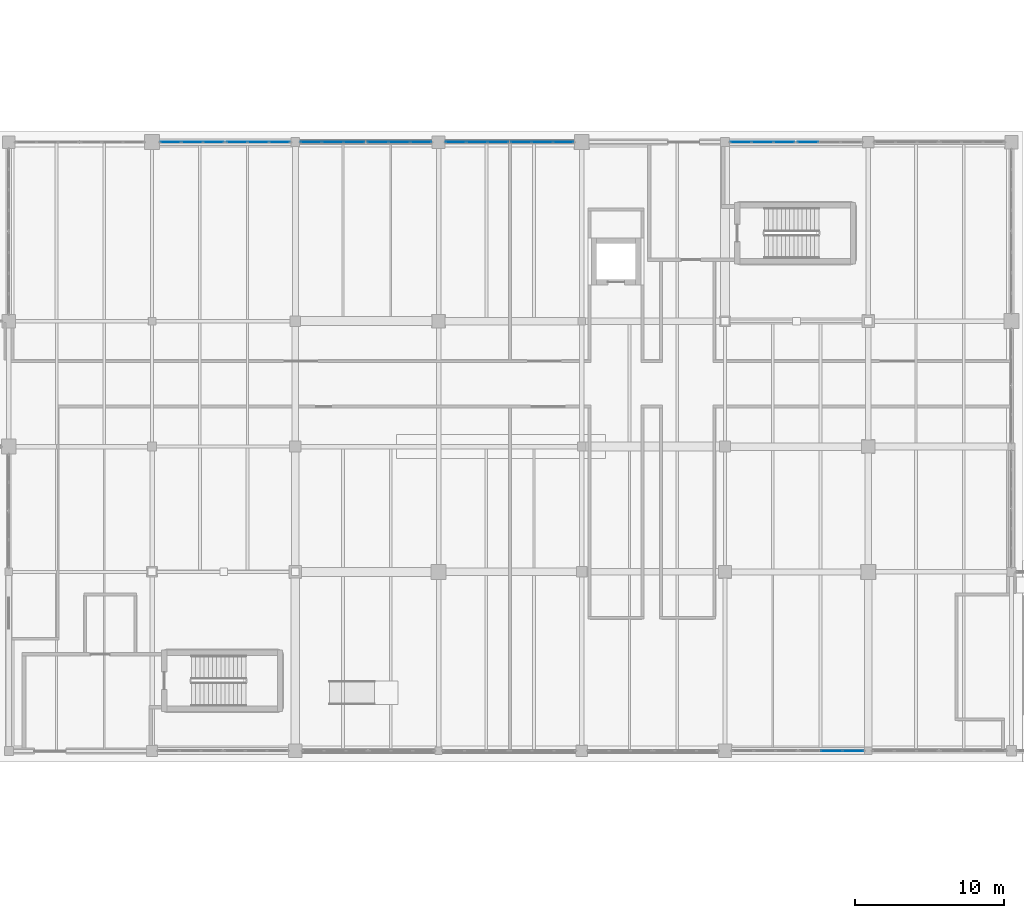
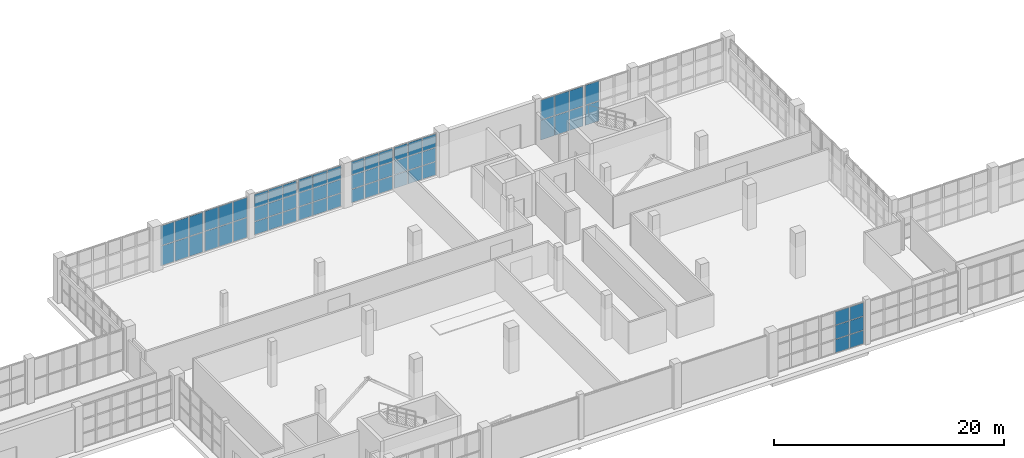
# One storey, part 79 of 121: 62 plates, 9 elements without a shape of their own.
"""IFC4 building model written with IfcOpenShell, lengths in metres."""

from ifc_helpers import new_model, si_unit, direction, frame, origin, origin_2d, place, context, subcontext, project, spatial, rectangle, extrude, material, layer, layer_set, type_object, element, aggregate, save


model = new_model("IFC4")

# Units and contexts
model_context = context("Model", 3, precision=1e-05, world=origin(), true_north=direction((0.0, 1.0)))
body_context = subcontext(model_context, "Body", "Model", "MODEL_VIEW")
ifc_project = project(units=[si_unit("LENGTHUNIT", "METRE"), si_unit("AREAUNIT", "SQUARE_METRE"), si_unit("VOLUMEUNIT", "CUBIC_METRE"), si_unit("PLANEANGLEUNIT", "RADIAN"), si_unit("MASSUNIT", "GRAM", prefix="KILO")], contexts=[model_context])

# Site, building, storey
site_placement = place(None, origin())
site = spatial("IfcSite", under=ifc_project, at=site_placement, CompositionType="ELEMENT")
building_placement = place(site_placement, origin())
building = spatial("IfcBuilding", under=site, at=building_placement, Name="Zereglee Splitstone Museum", CompositionType="ELEMENT")
storey_placement = place(building_placement, origin())
storey = spatial("IfcBuildingStorey", under=building, at=storey_placement, Name="L00", CompositionType="ELEMENT", Elevation=0.0)

# Curtain wall, plates
ifc_material_1 = material(Name="Triple-glazed low-E argon glass and bronze-anodised aluminium", Category="aluminium")
ifc_layer_1 = layer(ifc_material_1, 0.179931640625)
ifc_layer_set_1 = layer_set([ifc_layer_1], Name="Triple-glazed low-E argon glass and bronze-anodised aluminium")
curtain_wall_type_1 = type_object("IfcCurtainWallType", Name="CW-0441-438", PredefinedType="USERDEFINED", material=ifc_layer_set_1)
curtain_wall_1_placement = place(storey_placement, origin())
curtain_wall_1 = element("IfcCurtainWall", 1, at=curtain_wall_1_placement, inside=storey, type_object=curtain_wall_type_1, Name="Glazed Curtain Wall CW-0441-438 (L00)", ObjectType="GLAZED CURTAIN WALL", PredefinedType="USERDEFINED")
ifc_material_2 = material(Name="Triple low-e argon insulated safety glass", Category="glass")
ifc_layer_2 = layer(ifc_material_2, 0.035888671875)
ifc_layer_set_2 = layer_set([ifc_layer_2], Name="Triple low-e argon insulated safety glass")
plate_type = type_object("IfcPlateType", Name="CWP-01", PredefinedType="CURTAIN_PANEL", material=ifc_layer_set_2)
plate_1_placement = place(storey_placement, frame((131.554443359375, 50.39990234375, 0.06494140625), z_axis=(0.0, 0.0, 1.0), x_axis=(-1.0, 0.0, 0.0)))
plate_1 = element("IfcPlate", 2, at=plate_1_placement, type_object=plate_type, Name="CW-0441-438 panel 3.1", PredefinedType="CURTAIN_PANEL", context=body_context, shape_type="SweptSolid", body=[
    extrude(rectangle(XDim=1.3740234375, YDim=0.035888671875, at=origin_2d()), origin(), (0.0, 0.0, 1.0), 2.092529296875),
])
plate_2_placement = place(storey_placement, frame((131.554443359375, 50.39990234375, 2.22265625), z_axis=(0.0, 0.0, 1.0), x_axis=(-1.0, 0.0, 0.0)))
plate_2 = element("IfcPlate", 3, at=plate_2_placement, type_object=plate_type, Name="CW-0441-438 panel 3.2", PredefinedType="CURTAIN_PANEL", context=body_context, shape_type="SweptSolid", body=[
    extrude(rectangle(XDim=1.3740234375, YDim=0.035888671875, at=origin_2d()), origin(), (0.0, 0.0, 1.0), 2.092529296875),
])
aggregate(curtain_wall_1, [plate_1, plate_2])

ifc_layer_3 = layer(ifc_material_1, 0.179931640625)
ifc_layer_set_3 = layer_set([ifc_layer_3], Name="Triple-glazed low-E argon glass and bronze-anodised aluminium")
curtain_wall_type_2 = type_object("IfcCurtainWallType", Name="CW-0441-436", PredefinedType="USERDEFINED", material=ifc_layer_set_3)
curtain_wall_2_placement = place(storey_placement, origin())
curtain_wall_2 = element("IfcCurtainWall", 4, at=curtain_wall_2_placement, inside=storey, type_object=curtain_wall_type_2, Name="Glazed Curtain Wall CW-0441-436 (L00)", ObjectType="GLAZED CURTAIN WALL", PredefinedType="USERDEFINED")
plate_3_placement = place(storey_placement, frame((129.970458984375, 50.39990234375, 0.06494140625), z_axis=(0.0, 0.0, 1.0), x_axis=(-1.0, 0.0, 0.0)))
plate_3 = element("IfcPlate", 5, at=plate_3_placement, type_object=plate_type, Name="CW-0441-436 panel 1.1", PredefinedType="CURTAIN_PANEL", context=body_context, shape_type="SweptSolid", body=[
    extrude(rectangle(XDim=1.3740234375, YDim=0.035888671875, at=origin_2d()), origin(), (0.0, 0.0, 1.0), 2.08251953125),
])
plate_4_placement = place(storey_placement, frame((129.970458984375, 50.39990234375, 2.21240234375), z_axis=(0.0, 0.0, 1.0), x_axis=(-1.0, 0.0, 0.0)))
plate_4 = element("IfcPlate", 6, at=plate_4_placement, type_object=plate_type, Name="CW-0441-436 panel 1.2", PredefinedType="CURTAIN_PANEL", context=body_context, shape_type="SweptSolid", body=[
    extrude(rectangle(XDim=1.3740234375, YDim=0.035888671875, at=origin_2d()), origin(), (0.0, 0.0, 1.0), 2.08251953125),
])
plate_5_placement = place(storey_placement, frame((128.51513671875, 50.39990234375, 0.06494140625), z_axis=(0.0, 0.0, 1.0), x_axis=(-1.0, 0.0, 0.0)))
plate_5 = element("IfcPlate", 7, at=plate_5_placement, type_object=plate_type, Name="CW-0441-436 panel 2.1", PredefinedType="CURTAIN_PANEL", context=body_context, shape_type="SweptSolid", body=[
    extrude(rectangle(XDim=1.406494140625, YDim=0.035888671875, at=origin_2d()), origin(), (0.0, 0.0, 1.0), 2.08251953125),
])
plate_6_placement = place(storey_placement, frame((128.51513671875, 50.39990234375, 2.21240234375), z_axis=(0.0, 0.0, 1.0), x_axis=(-1.0, 0.0, 0.0)))
plate_6 = element("IfcPlate", 8, at=plate_6_placement, type_object=plate_type, Name="CW-0441-436 panel 2.2", PredefinedType="CURTAIN_PANEL", context=body_context, shape_type="SweptSolid", body=[
    extrude(rectangle(XDim=1.406494140625, YDim=0.035888671875, at=origin_2d()), origin(), (0.0, 0.0, 1.0), 2.08251953125),
])
plate_7_placement = place(storey_placement, frame((127.06005859375, 50.39990234375, 0.06494140625), z_axis=(0.0, 0.0, 1.0), x_axis=(-1.0, 0.0, 0.0)))
plate_7 = element("IfcPlate", 9, at=plate_7_placement, type_object=plate_type, Name="CW-0441-436 panel 3.1", PredefinedType="CURTAIN_PANEL", context=body_context, shape_type="SweptSolid", body=[
    extrude(rectangle(XDim=1.3740234375, YDim=0.035888671875, at=origin_2d()), origin(), (0.0, 0.0, 1.0), 2.08251953125),
])
plate_8_placement = place(storey_placement, frame((127.06005859375, 50.39990234375, 2.21240234375), z_axis=(0.0, 0.0, 1.0), x_axis=(-1.0, 0.0, 0.0)))
plate_8 = element("IfcPlate", 10, at=plate_8_placement, type_object=plate_type, Name="CW-0441-436 panel 3.2", PredefinedType="CURTAIN_PANEL", context=body_context, shape_type="SweptSolid", body=[
    extrude(rectangle(XDim=1.3740234375, YDim=0.035888671875, at=origin_2d()), origin(), (0.0, 0.0, 1.0), 2.08251953125),
])
aggregate(curtain_wall_2, [plate_3, plate_4, plate_5, plate_6, plate_7, plate_8])

ifc_layer_4 = layer(ifc_material_1, 0.179931640625)
ifc_layer_set_4 = layer_set([ifc_layer_4], Name="Triple-glazed low-E argon glass and bronze-anodised aluminium")
curtain_wall_type_3 = type_object("IfcCurtainWallType", Name="CW-0429-450", PredefinedType="USERDEFINED", material=ifc_layer_set_4)
curtain_wall_3_placement = place(storey_placement, origin())
curtain_wall_3 = element("IfcCurtainWall", 11, at=curtain_wall_3_placement, inside=storey, type_object=curtain_wall_type_3, Name="Glazed Curtain Wall CW-0429-450 (L00)", ObjectType="GLAZED CURTAIN WALL", PredefinedType="USERDEFINED")
plate_9_placement = place(storey_placement, frame((115.160888671875, 50.39990234375, 0.06494140625), z_axis=(0.0, 0.0, 1.0), x_axis=(-1.0, 0.0, 0.0)))
plate_9 = element("IfcPlate", 12, at=plate_9_placement, type_object=plate_type, Name="CW-0429-450 panel 1.1", PredefinedType="CURTAIN_PANEL", context=body_context, shape_type="SweptSolid", body=[
    extrude(rectangle(XDim=1.332275390625, YDim=0.035888671875, at=origin_2d()), origin(), (0.0, 0.0, 1.0), 1.402587890625),
])
plate_10_placement = place(storey_placement, frame((115.160888671875, 50.39990234375, 1.532470703125), z_axis=(0.0, 0.0, 1.0), x_axis=(-1.0, 0.0, 0.0)))
plate_10 = element("IfcPlate", 13, at=plate_10_placement, type_object=plate_type, Name="CW-0429-450 panel 1.2", PredefinedType="CURTAIN_PANEL", context=body_context, shape_type="SweptSolid", body=[
    extrude(rectangle(XDim=1.332275390625, YDim=0.035888671875, at=origin_2d()), origin(), (0.0, 0.0, 1.0), 1.43505859375),
])
plate_11_placement = place(storey_placement, frame((115.160888671875, 50.39990234375, 3.0322265625), z_axis=(0.0, 0.0, 1.0), x_axis=(-1.0, 0.0, 0.0)))
plate_11 = element("IfcPlate", 14, at=plate_11_placement, type_object=plate_type, Name="CW-0429-450 panel 1.3", PredefinedType="CURTAIN_PANEL", context=body_context, shape_type="SweptSolid", body=[
    extrude(rectangle(XDim=1.332275390625, YDim=0.035888671875, at=origin_2d()), origin(), (0.0, 0.0, 1.0), 1.402587890625),
])
plate_12_placement = place(storey_placement, frame((113.747314453125, 50.39990234375, 0.06494140625), z_axis=(0.0, 0.0, 1.0), x_axis=(-1.0, 0.0, 0.0)))
plate_12 = element("IfcPlate", 15, at=plate_12_placement, type_object=plate_type, Name="CW-0429-450 panel 2.1", PredefinedType="CURTAIN_PANEL", context=body_context, shape_type="SweptSolid", body=[
    extrude(rectangle(XDim=1.36474609375, YDim=0.035888671875, at=origin_2d()), origin(), (0.0, 0.0, 1.0), 1.402587890625),
])
plate_13_placement = place(storey_placement, frame((113.747314453125, 50.39990234375, 1.532470703125), z_axis=(0.0, 0.0, 1.0), x_axis=(-1.0, 0.0, 0.0)))
plate_13 = element("IfcPlate", 16, at=plate_13_placement, type_object=plate_type, Name="CW-0429-450 panel 2.2", PredefinedType="CURTAIN_PANEL", context=body_context, shape_type="SweptSolid", body=[
    extrude(rectangle(XDim=1.36474609375, YDim=0.035888671875, at=origin_2d()), origin(), (0.0, 0.0, 1.0), 1.43505859375),
])
plate_14_placement = place(storey_placement, frame((113.747314453125, 50.39990234375, 3.0322265625), z_axis=(0.0, 0.0, 1.0), x_axis=(-1.0, 0.0, 0.0)))
plate_14 = element("IfcPlate", 17, at=plate_14_placement, type_object=plate_type, Name="CW-0429-450 panel 2.3", PredefinedType="CURTAIN_PANEL", context=body_context, shape_type="SweptSolid", body=[
    extrude(rectangle(XDim=1.36474609375, YDim=0.035888671875, at=origin_2d()), origin(), (0.0, 0.0, 1.0), 1.402587890625),
])
plate_15_placement = place(storey_placement, frame((112.333740234375, 50.39990234375, 0.06494140625), z_axis=(0.0, 0.0, 1.0), x_axis=(-1.0, 0.0, 0.0)))
plate_15 = element("IfcPlate", 18, at=plate_15_placement, type_object=plate_type, Name="CW-0429-450 panel 3.1", PredefinedType="CURTAIN_PANEL", context=body_context, shape_type="SweptSolid", body=[
    extrude(rectangle(XDim=1.332275390625, YDim=0.035888671875, at=origin_2d()), origin(), (0.0, 0.0, 1.0), 1.402587890625),
])
plate_16_placement = place(storey_placement, frame((112.333740234375, 50.39990234375, 1.532470703125), z_axis=(0.0, 0.0, 1.0), x_axis=(-1.0, 0.0, 0.0)))
plate_16 = element("IfcPlate", 19, at=plate_16_placement, type_object=plate_type, Name="CW-0429-450 panel 3.2", PredefinedType="CURTAIN_PANEL", context=body_context, shape_type="SweptSolid", body=[
    extrude(rectangle(XDim=1.332275390625, YDim=0.035888671875, at=origin_2d()), origin(), (0.0, 0.0, 1.0), 1.43505859375),
])
plate_17_placement = place(storey_placement, frame((112.333740234375, 50.39990234375, 3.0322265625), z_axis=(0.0, 0.0, 1.0), x_axis=(-1.0, 0.0, 0.0)))
plate_17 = element("IfcPlate", 20, at=plate_17_placement, type_object=plate_type, Name="CW-0429-450 panel 3.3", PredefinedType="CURTAIN_PANEL", context=body_context, shape_type="SweptSolid", body=[
    extrude(rectangle(XDim=1.332275390625, YDim=0.035888671875, at=origin_2d()), origin(), (0.0, 0.0, 1.0), 1.402587890625),
])
aggregate(curtain_wall_3, [plate_9, plate_10, plate_11, plate_12, plate_13, plate_14, plate_15, plate_16, plate_17])

ifc_layer_5 = layer(ifc_material_1, 0.179931640625)
ifc_layer_set_5 = layer_set([ifc_layer_5], Name="Triple-glazed low-E argon glass and bronze-anodised aluminium")
curtain_wall_type_4 = type_object("IfcCurtainWallType", Name="CW-0429-448", PredefinedType="USERDEFINED", material=ifc_layer_set_5)
curtain_wall_4_placement = place(storey_placement, origin())
curtain_wall_4 = element("IfcCurtainWall", 21, at=curtain_wall_4_placement, inside=storey, type_object=curtain_wall_type_4, Name="Glazed Curtain Wall CW-0429-448 (L00)", ObjectType="GLAZED CURTAIN WALL", PredefinedType="USERDEFINED")
plate_18_placement = place(storey_placement, frame((110.791259765625, 50.39990234375, 0.06494140625), z_axis=(0.0, 0.0, 1.0), x_axis=(-1.0, 0.0, 0.0)))
plate_18 = element("IfcPlate", 22, at=plate_18_placement, type_object=plate_type, Name="CW-0429-448 panel 1.1", PredefinedType="CURTAIN_PANEL", context=body_context, shape_type="SweptSolid", body=[
    extrude(rectangle(XDim=1.332275390625, YDim=0.035888671875, at=origin_2d()), origin(), (0.0, 0.0, 1.0), 1.395751953125),
])
plate_19_placement = place(storey_placement, frame((110.791259765625, 50.39990234375, 1.52587890625), z_axis=(0.0, 0.0, 1.0), x_axis=(-1.0, 0.0, 0.0)))
plate_19 = element("IfcPlate", 23, at=plate_19_placement, type_object=plate_type, Name="CW-0429-448 panel 1.2", PredefinedType="CURTAIN_PANEL", context=body_context, shape_type="SweptSolid", body=[
    extrude(rectangle(XDim=1.332275390625, YDim=0.035888671875, at=origin_2d()), origin(), (0.0, 0.0, 1.0), 1.428466796875),
])
plate_20_placement = place(storey_placement, frame((110.791259765625, 50.39990234375, 3.01904296875), z_axis=(0.0, 0.0, 1.0), x_axis=(-1.0, 0.0, 0.0)))
plate_20 = element("IfcPlate", 24, at=plate_20_placement, type_object=plate_type, Name="CW-0429-448 panel 1.3", PredefinedType="CURTAIN_PANEL", context=body_context, shape_type="SweptSolid", body=[
    extrude(rectangle(XDim=1.332275390625, YDim=0.035888671875, at=origin_2d()), origin(), (0.0, 0.0, 1.0), 1.395751953125),
])
plate_21_placement = place(storey_placement, frame((109.377685546875, 50.39990234375, 0.06494140625), z_axis=(0.0, 0.0, 1.0), x_axis=(-1.0, 0.0, 0.0)))
plate_21 = element("IfcPlate", 25, at=plate_21_placement, type_object=plate_type, Name="CW-0429-448 panel 2.1", PredefinedType="CURTAIN_PANEL", context=body_context, shape_type="SweptSolid", body=[
    extrude(rectangle(XDim=1.36474609375, YDim=0.035888671875, at=origin_2d()), origin(), (0.0, 0.0, 1.0), 1.395751953125),
])
plate_22_placement = place(storey_placement, frame((109.377685546875, 50.39990234375, 1.52587890625), z_axis=(0.0, 0.0, 1.0), x_axis=(-1.0, 0.0, 0.0)))
plate_22 = element("IfcPlate", 26, at=plate_22_placement, type_object=plate_type, Name="CW-0429-448 panel 2.2", PredefinedType="CURTAIN_PANEL", context=body_context, shape_type="SweptSolid", body=[
    extrude(rectangle(XDim=1.36474609375, YDim=0.035888671875, at=origin_2d()), origin(), (0.0, 0.0, 1.0), 1.428466796875),
])
plate_23_placement = place(storey_placement, frame((109.377685546875, 50.39990234375, 3.01904296875), z_axis=(0.0, 0.0, 1.0), x_axis=(-1.0, 0.0, 0.0)))
plate_23 = element("IfcPlate", 27, at=plate_23_placement, type_object=plate_type, Name="CW-0429-448 panel 2.3", PredefinedType="CURTAIN_PANEL", context=body_context, shape_type="SweptSolid", body=[
    extrude(rectangle(XDim=1.36474609375, YDim=0.035888671875, at=origin_2d()), origin(), (0.0, 0.0, 1.0), 1.395751953125),
])
plate_24_placement = place(storey_placement, frame((107.964111328125, 50.39990234375, 0.06494140625), z_axis=(0.0, 0.0, 1.0), x_axis=(-1.0, 0.0, 0.0)))
plate_24 = element("IfcPlate", 28, at=plate_24_placement, type_object=plate_type, Name="CW-0429-448 panel 3.1", PredefinedType="CURTAIN_PANEL", context=body_context, shape_type="SweptSolid", body=[
    extrude(rectangle(XDim=1.332275390625, YDim=0.035888671875, at=origin_2d()), origin(), (0.0, 0.0, 1.0), 1.395751953125),
])
plate_25_placement = place(storey_placement, frame((107.964111328125, 50.39990234375, 1.52587890625), z_axis=(0.0, 0.0, 1.0), x_axis=(-1.0, 0.0, 0.0)))
plate_25 = element("IfcPlate", 29, at=plate_25_placement, type_object=plate_type, Name="CW-0429-448 panel 3.2", PredefinedType="CURTAIN_PANEL", context=body_context, shape_type="SweptSolid", body=[
    extrude(rectangle(XDim=1.332275390625, YDim=0.035888671875, at=origin_2d()), origin(), (0.0, 0.0, 1.0), 1.428466796875),
])
plate_26_placement = place(storey_placement, frame((107.964111328125, 50.39990234375, 3.01904296875), z_axis=(0.0, 0.0, 1.0), x_axis=(-1.0, 0.0, 0.0)))
plate_26 = element("IfcPlate", 30, at=plate_26_placement, type_object=plate_type, Name="CW-0429-448 panel 3.3", PredefinedType="CURTAIN_PANEL", context=body_context, shape_type="SweptSolid", body=[
    extrude(rectangle(XDim=1.332275390625, YDim=0.035888671875, at=origin_2d()), origin(), (0.0, 0.0, 1.0), 1.395751953125),
])
aggregate(curtain_wall_4, [plate_18, plate_19, plate_20, plate_21, plate_22, plate_23, plate_24, plate_25, plate_26])

ifc_layer_6 = layer(ifc_material_1, 0.179931640625)
ifc_layer_set_6 = layer_set([ifc_layer_6], Name="Triple-glazed low-E argon glass and bronze-anodised aluminium")
curtain_wall_type_5 = type_object("IfcCurtainWallType", Name="CW-0439-444", PredefinedType="USERDEFINED", material=ifc_layer_set_6)
curtain_wall_5_placement = place(storey_placement, origin())
curtain_wall_5 = element("IfcCurtainWall", 31, at=curtain_wall_5_placement, inside=storey, type_object=curtain_wall_type_5, Name="Glazed Curtain Wall CW-0439-444 (L00)", ObjectType="GLAZED CURTAIN WALL", PredefinedType="USERDEFINED")
plate_27_placement = place(storey_placement, frame((105.619140625, 50.39990234375, 0.06494140625), z_axis=(0.0, 0.0, 1.0), x_axis=(-1.0, 0.0, 0.0)))
plate_27 = element("IfcPlate", 32, at=plate_27_placement, type_object=plate_type, Name="CW-0439-444 panel 1.1", PredefinedType="CURTAIN_PANEL", context=body_context, shape_type="SweptSolid", body=[
    extrude(rectangle(XDim=1.36572265625, YDim=0.035888671875, at=origin_2d()), origin(), (0.0, 0.0, 1.0), 1.382568359375),
])
plate_28_placement = place(storey_placement, frame((105.619140625, 50.39990234375, 1.512451171875), z_axis=(0.0, 0.0, 1.0), x_axis=(-1.0, 0.0, 0.0)))
plate_28 = element("IfcPlate", 33, at=plate_28_placement, type_object=plate_type, Name="CW-0439-444 panel 1.2", PredefinedType="CURTAIN_PANEL", context=body_context, shape_type="SweptSolid", body=[
    extrude(rectangle(XDim=1.36572265625, YDim=0.035888671875, at=origin_2d()), origin(), (0.0, 0.0, 1.0), 1.4150390625),
])
plate_29_placement = place(storey_placement, frame((105.619140625, 50.39990234375, 2.99267578125), z_axis=(0.0, 0.0, 1.0), x_axis=(-1.0, 0.0, 0.0)))
plate_29 = element("IfcPlate", 34, at=plate_29_placement, type_object=plate_type, Name="CW-0439-444 panel 1.3", PredefinedType="CURTAIN_PANEL", context=body_context, shape_type="SweptSolid", body=[
    extrude(rectangle(XDim=1.36572265625, YDim=0.035888671875, at=origin_2d()), origin(), (0.0, 0.0, 1.0), 1.382568359375),
])
plate_30_placement = place(storey_placement, frame((104.17236328125, 50.39990234375, 0.06494140625), z_axis=(0.0, 0.0, 1.0), x_axis=(-1.0, 0.0, 0.0)))
plate_30 = element("IfcPlate", 35, at=plate_30_placement, type_object=plate_type, Name="CW-0439-444 panel 2.1", PredefinedType="CURTAIN_PANEL", context=body_context, shape_type="SweptSolid", body=[
    extrude(rectangle(XDim=1.398193359375, YDim=0.035888671875, at=origin_2d()), origin(), (0.0, 0.0, 1.0), 1.382568359375),
])
plate_31_placement = place(storey_placement, frame((104.17236328125, 50.39990234375, 1.512451171875), z_axis=(0.0, 0.0, 1.0), x_axis=(-1.0, 0.0, 0.0)))
plate_31 = element("IfcPlate", 36, at=plate_31_placement, type_object=plate_type, Name="CW-0439-444 panel 2.2", PredefinedType="CURTAIN_PANEL", context=body_context, shape_type="SweptSolid", body=[
    extrude(rectangle(XDim=1.398193359375, YDim=0.035888671875, at=origin_2d()), origin(), (0.0, 0.0, 1.0), 1.4150390625),
])
plate_32_placement = place(storey_placement, frame((104.17236328125, 50.39990234375, 2.99267578125), z_axis=(0.0, 0.0, 1.0), x_axis=(-1.0, 0.0, 0.0)))
plate_32 = element("IfcPlate", 37, at=plate_32_placement, type_object=plate_type, Name="CW-0439-444 panel 2.3", PredefinedType="CURTAIN_PANEL", context=body_context, shape_type="SweptSolid", body=[
    extrude(rectangle(XDim=1.398193359375, YDim=0.035888671875, at=origin_2d()), origin(), (0.0, 0.0, 1.0), 1.382568359375),
])
plate_33_placement = place(storey_placement, frame((102.725341796875, 50.39990234375, 0.06494140625), z_axis=(0.0, 0.0, 1.0), x_axis=(-1.0, 0.0, 0.0)))
plate_33 = element("IfcPlate", 38, at=plate_33_placement, type_object=plate_type, Name="CW-0439-444 panel 3.1", PredefinedType="CURTAIN_PANEL", context=body_context, shape_type="SweptSolid", body=[
    extrude(rectangle(XDim=1.36572265625, YDim=0.035888671875, at=origin_2d()), origin(), (0.0, 0.0, 1.0), 1.382568359375),
])
plate_34_placement = place(storey_placement, frame((102.725341796875, 50.39990234375, 1.512451171875), z_axis=(0.0, 0.0, 1.0), x_axis=(-1.0, 0.0, 0.0)))
plate_34 = element("IfcPlate", 39, at=plate_34_placement, type_object=plate_type, Name="CW-0439-444 panel 3.2", PredefinedType="CURTAIN_PANEL", context=body_context, shape_type="SweptSolid", body=[
    extrude(rectangle(XDim=1.36572265625, YDim=0.035888671875, at=origin_2d()), origin(), (0.0, 0.0, 1.0), 1.4150390625),
])
plate_35_placement = place(storey_placement, frame((102.725341796875, 50.39990234375, 2.99267578125), z_axis=(0.0, 0.0, 1.0), x_axis=(-1.0, 0.0, 0.0)))
plate_35 = element("IfcPlate", 40, at=plate_35_placement, type_object=plate_type, Name="CW-0439-444 panel 3.3", PredefinedType="CURTAIN_PANEL", context=body_context, shape_type="SweptSolid", body=[
    extrude(rectangle(XDim=1.36572265625, YDim=0.035888671875, at=origin_2d()), origin(), (0.0, 0.0, 1.0), 1.382568359375),
])
aggregate(curtain_wall_5, [plate_27, plate_28, plate_29, plate_30, plate_31, plate_32, plate_33, plate_34, plate_35])

ifc_layer_7 = layer(ifc_material_1, 0.179931640625)
ifc_layer_set_7 = layer_set([ifc_layer_7], Name="Triple-glazed low-E argon glass and bronze-anodised aluminium")
curtain_wall_type_6 = type_object("IfcCurtainWallType", Name="CW-0439-442", PredefinedType="USERDEFINED", material=ifc_layer_set_7)
curtain_wall_6_placement = place(storey_placement, origin())
curtain_wall_6 = element("IfcCurtainWall", 41, at=curtain_wall_6_placement, inside=storey, type_object=curtain_wall_type_6, Name="Glazed Curtain Wall CW-0439-442 (L00)", ObjectType="GLAZED CURTAIN WALL", PredefinedType="USERDEFINED")
plate_36_placement = place(storey_placement, frame((101.149658203125, 50.39990234375, 0.06494140625), z_axis=(0.0, 0.0, 1.0), x_axis=(-1.0, 0.0, 0.0)))
plate_36 = element("IfcPlate", 42, at=plate_36_placement, type_object=plate_type, Name="CW-0439-442 panel 1.1", PredefinedType="CURTAIN_PANEL", context=body_context, shape_type="SweptSolid", body=[
    extrude(rectangle(XDim=1.36572265625, YDim=0.035888671875, at=origin_2d()), origin(), (0.0, 0.0, 1.0), 1.375732421875),
])
plate_37_placement = place(storey_placement, frame((101.149658203125, 50.39990234375, 1.505859375), z_axis=(0.0, 0.0, 1.0), x_axis=(-1.0, 0.0, 0.0)))
plate_37 = element("IfcPlate", 43, at=plate_37_placement, type_object=plate_type, Name="CW-0439-442 panel 1.2", PredefinedType="CURTAIN_PANEL", context=body_context, shape_type="SweptSolid", body=[
    extrude(rectangle(XDim=1.36572265625, YDim=0.035888671875, at=origin_2d()), origin(), (0.0, 0.0, 1.0), 1.408447265625),
])
plate_38_placement = place(storey_placement, frame((101.149658203125, 50.39990234375, 2.97900390625), z_axis=(0.0, 0.0, 1.0), x_axis=(-1.0, 0.0, 0.0)))
plate_38 = element("IfcPlate", 44, at=plate_38_placement, type_object=plate_type, Name="CW-0439-442 panel 1.3", PredefinedType="CURTAIN_PANEL", context=body_context, shape_type="SweptSolid", body=[
    extrude(rectangle(XDim=1.36572265625, YDim=0.035888671875, at=origin_2d()), origin(), (0.0, 0.0, 1.0), 1.375732421875),
])
plate_39_placement = place(storey_placement, frame((99.70263671875, 50.39990234375, 0.06494140625), z_axis=(0.0, 0.0, 1.0), x_axis=(-1.0, 0.0, 0.0)))
plate_39 = element("IfcPlate", 45, at=plate_39_placement, type_object=plate_type, Name="CW-0439-442 panel 2.1", PredefinedType="CURTAIN_PANEL", context=body_context, shape_type="SweptSolid", body=[
    extrude(rectangle(XDim=1.398193359375, YDim=0.035888671875, at=origin_2d()), origin(), (0.0, 0.0, 1.0), 1.375732421875),
])
plate_40_placement = place(storey_placement, frame((99.70263671875, 50.39990234375, 1.505859375), z_axis=(0.0, 0.0, 1.0), x_axis=(-1.0, 0.0, 0.0)))
plate_40 = element("IfcPlate", 46, at=plate_40_placement, type_object=plate_type, Name="CW-0439-442 panel 2.2", PredefinedType="CURTAIN_PANEL", context=body_context, shape_type="SweptSolid", body=[
    extrude(rectangle(XDim=1.398193359375, YDim=0.035888671875, at=origin_2d()), origin(), (0.0, 0.0, 1.0), 1.408447265625),
])
plate_41_placement = place(storey_placement, frame((99.70263671875, 50.39990234375, 2.97900390625), z_axis=(0.0, 0.0, 1.0), x_axis=(-1.0, 0.0, 0.0)))
plate_41 = element("IfcPlate", 47, at=plate_41_placement, type_object=plate_type, Name="CW-0439-442 panel 2.3", PredefinedType="CURTAIN_PANEL", context=body_context, shape_type="SweptSolid", body=[
    extrude(rectangle(XDim=1.398193359375, YDim=0.035888671875, at=origin_2d()), origin(), (0.0, 0.0, 1.0), 1.375732421875),
])
plate_42_placement = place(storey_placement, frame((98.255859375, 50.39990234375, 0.06494140625), z_axis=(0.0, 0.0, 1.0), x_axis=(-1.0, 0.0, 0.0)))
plate_42 = element("IfcPlate", 48, at=plate_42_placement, type_object=plate_type, Name="CW-0439-442 panel 3.1", PredefinedType="CURTAIN_PANEL", context=body_context, shape_type="SweptSolid", body=[
    extrude(rectangle(XDim=1.36572265625, YDim=0.035888671875, at=origin_2d()), origin(), (0.0, 0.0, 1.0), 1.375732421875),
])
plate_43_placement = place(storey_placement, frame((98.255859375, 50.39990234375, 1.505859375), z_axis=(0.0, 0.0, 1.0), x_axis=(-1.0, 0.0, 0.0)))
plate_43 = element("IfcPlate", 49, at=plate_43_placement, type_object=plate_type, Name="CW-0439-442 panel 3.2", PredefinedType="CURTAIN_PANEL", context=body_context, shape_type="SweptSolid", body=[
    extrude(rectangle(XDim=1.36572265625, YDim=0.035888671875, at=origin_2d()), origin(), (0.0, 0.0, 1.0), 1.408447265625),
])
plate_44_placement = place(storey_placement, frame((98.255859375, 50.39990234375, 2.97900390625), z_axis=(0.0, 0.0, 1.0), x_axis=(-1.0, 0.0, 0.0)))
plate_44 = element("IfcPlate", 50, at=plate_44_placement, type_object=plate_type, Name="CW-0439-442 panel 3.3", PredefinedType="CURTAIN_PANEL", context=body_context, shape_type="SweptSolid", body=[
    extrude(rectangle(XDim=1.36572265625, YDim=0.035888671875, at=origin_2d()), origin(), (0.0, 0.0, 1.0), 1.375732421875),
])
aggregate(curtain_wall_6, [plate_36, plate_37, plate_38, plate_39, plate_40, plate_41, plate_42, plate_43, plate_44])

ifc_layer_8 = layer(ifc_material_1, 0.179931640625)
ifc_layer_set_8 = layer_set([ifc_layer_8], Name="Triple-glazed low-E argon glass and bronze-anodised aluminium")
curtain_wall_type_7 = type_object("IfcCurtainWallType", Name="CW-0435-438", PredefinedType="USERDEFINED", material=ifc_layer_set_8)
curtain_wall_7_placement = place(storey_placement, origin())
curtain_wall_7 = element("IfcCurtainWall", 51, at=curtain_wall_7_placement, inside=storey, type_object=curtain_wall_type_7, Name="Glazed Curtain Wall CW-0435-438 (L00)", ObjectType="GLAZED CURTAIN WALL", PredefinedType="USERDEFINED")
plate_45_placement = place(storey_placement, frame((96.150390625, 50.39990234375, 0.06494140625), z_axis=(0.0, 0.0, 1.0), x_axis=(-1.0, 0.0, 0.0)))
plate_45 = element("IfcPlate", 52, at=plate_45_placement, type_object=plate_type, Name="CW-0435-438 panel 1.1", PredefinedType="CURTAIN_PANEL", context=body_context, shape_type="SweptSolid", body=[
    extrude(rectangle(XDim=1.353271484375, YDim=0.035888671875, at=origin_2d()), origin(), (0.0, 0.0, 1.0), 2.092529296875),
])
plate_46_placement = place(storey_placement, frame((96.150390625, 50.39990234375, 2.22265625), z_axis=(0.0, 0.0, 1.0), x_axis=(-1.0, 0.0, 0.0)))
plate_46 = element("IfcPlate", 53, at=plate_46_placement, type_object=plate_type, Name="CW-0435-438 panel 1.2", PredefinedType="CURTAIN_PANEL", context=body_context, shape_type="SweptSolid", body=[
    extrude(rectangle(XDim=1.353271484375, YDim=0.035888671875, at=origin_2d()), origin(), (0.0, 0.0, 1.0), 2.092529296875),
])
plate_47_placement = place(storey_placement, frame((94.716064453125, 50.39990234375, 0.06494140625), z_axis=(0.0, 0.0, 1.0), x_axis=(-1.0, 0.0, 0.0)))
plate_47 = element("IfcPlate", 54, at=plate_47_placement, type_object=plate_type, Name="CW-0435-438 panel 2.1", PredefinedType="CURTAIN_PANEL", context=body_context, shape_type="SweptSolid", body=[
    extrude(rectangle(XDim=1.3857421875, YDim=0.035888671875, at=origin_2d()), origin(), (0.0, 0.0, 1.0), 2.092529296875),
])
plate_48_placement = place(storey_placement, frame((94.716064453125, 50.39990234375, 2.22265625), z_axis=(0.0, 0.0, 1.0), x_axis=(-1.0, 0.0, 0.0)))
plate_48 = element("IfcPlate", 55, at=plate_48_placement, type_object=plate_type, Name="CW-0435-438 panel 2.2", PredefinedType="CURTAIN_PANEL", context=body_context, shape_type="SweptSolid", body=[
    extrude(rectangle(XDim=1.3857421875, YDim=0.035888671875, at=origin_2d()), origin(), (0.0, 0.0, 1.0), 2.092529296875),
])
plate_49_placement = place(storey_placement, frame((93.281494140625, 50.39990234375, 0.06494140625), z_axis=(0.0, 0.0, 1.0), x_axis=(-1.0, 0.0, 0.0)))
plate_49 = element("IfcPlate", 56, at=plate_49_placement, type_object=plate_type, Name="CW-0435-438 panel 3.1", PredefinedType="CURTAIN_PANEL", context=body_context, shape_type="SweptSolid", body=[
    extrude(rectangle(XDim=1.353271484375, YDim=0.035888671875, at=origin_2d()), origin(), (0.0, 0.0, 1.0), 2.092529296875),
])
plate_50_placement = place(storey_placement, frame((93.281494140625, 50.39990234375, 2.22265625), z_axis=(0.0, 0.0, 1.0), x_axis=(-1.0, 0.0, 0.0)))
plate_50 = element("IfcPlate", 57, at=plate_50_placement, type_object=plate_type, Name="CW-0435-438 panel 3.2", PredefinedType="CURTAIN_PANEL", context=body_context, shape_type="SweptSolid", body=[
    extrude(rectangle(XDim=1.353271484375, YDim=0.035888671875, at=origin_2d()), origin(), (0.0, 0.0, 1.0), 2.092529296875),
])
aggregate(curtain_wall_7, [plate_45, plate_46, plate_47, plate_48, plate_49, plate_50])

ifc_layer_9 = layer(ifc_material_1, 0.179931640625)
ifc_layer_set_9 = layer_set([ifc_layer_9], Name="Triple-glazed low-E argon glass and bronze-anodised aluminium")
curtain_wall_type_8 = type_object("IfcCurtainWallType", Name="CW-0435-436", PredefinedType="USERDEFINED", material=ifc_layer_set_9)
curtain_wall_8_placement = place(storey_placement, origin())
curtain_wall_8 = element("IfcCurtainWall", 58, at=curtain_wall_8_placement, inside=storey, type_object=curtain_wall_type_8, Name="Glazed Curtain Wall CW-0435-436 (L00)", ObjectType="GLAZED CURTAIN WALL", PredefinedType="USERDEFINED")
plate_51_placement = place(storey_placement, frame((91.718505859375, 50.39990234375, 0.06494140625), z_axis=(0.0, 0.0, 1.0), x_axis=(-1.0, 0.0, 0.0)))
plate_51 = element("IfcPlate", 59, at=plate_51_placement, type_object=plate_type, Name="CW-0435-436 panel 1.1", PredefinedType="CURTAIN_PANEL", context=body_context, shape_type="SweptSolid", body=[
    extrude(rectangle(XDim=1.353271484375, YDim=0.035888671875, at=origin_2d()), origin(), (0.0, 0.0, 1.0), 2.08251953125),
])
plate_52_placement = place(storey_placement, frame((91.718505859375, 50.39990234375, 2.21240234375), z_axis=(0.0, 0.0, 1.0), x_axis=(-1.0, 0.0, 0.0)))
plate_52 = element("IfcPlate", 60, at=plate_52_placement, type_object=plate_type, Name="CW-0435-436 panel 1.2", PredefinedType="CURTAIN_PANEL", context=body_context, shape_type="SweptSolid", body=[
    extrude(rectangle(XDim=1.353271484375, YDim=0.035888671875, at=origin_2d()), origin(), (0.0, 0.0, 1.0), 2.08251953125),
])
plate_53_placement = place(storey_placement, frame((90.283935546875, 50.39990234375, 0.06494140625), z_axis=(0.0, 0.0, 1.0), x_axis=(-1.0, 0.0, 0.0)))
plate_53 = element("IfcPlate", 61, at=plate_53_placement, type_object=plate_type, Name="CW-0435-436 panel 2.1", PredefinedType="CURTAIN_PANEL", context=body_context, shape_type="SweptSolid", body=[
    extrude(rectangle(XDim=1.3857421875, YDim=0.035888671875, at=origin_2d()), origin(), (0.0, 0.0, 1.0), 2.08251953125),
])
plate_54_placement = place(storey_placement, frame((90.283935546875, 50.39990234375, 2.21240234375), z_axis=(0.0, 0.0, 1.0), x_axis=(-1.0, 0.0, 0.0)))
plate_54 = element("IfcPlate", 62, at=plate_54_placement, type_object=plate_type, Name="CW-0435-436 panel 2.2", PredefinedType="CURTAIN_PANEL", context=body_context, shape_type="SweptSolid", body=[
    extrude(rectangle(XDim=1.3857421875, YDim=0.035888671875, at=origin_2d()), origin(), (0.0, 0.0, 1.0), 2.08251953125),
])
plate_55_placement = place(storey_placement, frame((88.849609375, 50.39990234375, 0.06494140625), z_axis=(0.0, 0.0, 1.0), x_axis=(-1.0, 0.0, 0.0)))
plate_55 = element("IfcPlate", 63, at=plate_55_placement, type_object=plate_type, Name="CW-0435-436 panel 3.1", PredefinedType="CURTAIN_PANEL", context=body_context, shape_type="SweptSolid", body=[
    extrude(rectangle(XDim=1.353271484375, YDim=0.035888671875, at=origin_2d()), origin(), (0.0, 0.0, 1.0), 2.08251953125),
])
plate_56_placement = place(storey_placement, frame((88.849609375, 50.39990234375, 2.21240234375), z_axis=(0.0, 0.0, 1.0), x_axis=(-1.0, 0.0, 0.0)))
plate_56 = element("IfcPlate", 64, at=plate_56_placement, type_object=plate_type, Name="CW-0435-436 panel 3.2", PredefinedType="CURTAIN_PANEL", context=body_context, shape_type="SweptSolid", body=[
    extrude(rectangle(XDim=1.353271484375, YDim=0.035888671875, at=origin_2d()), origin(), (0.0, 0.0, 1.0), 2.08251953125),
])
aggregate(curtain_wall_8, [plate_51, plate_52, plate_53, plate_54, plate_55, plate_56])

ifc_layer_10 = layer(ifc_material_1, 0.179931640625)
ifc_layer_set_10 = layer_set([ifc_layer_10], Name="Triple-glazed low-E argon glass and bronze-anodised aluminium")
curtain_wall_type_9 = type_object("IfcCurtainWallType", Name="CW-0440-448", PredefinedType="USERDEFINED", material=ifc_layer_set_10)
curtain_wall_9_placement = place(storey_placement, origin())
curtain_wall_9 = element("IfcCurtainWall", 65, at=curtain_wall_9_placement, inside=storey, type_object=curtain_wall_type_9, Name="Glazed Curtain Wall CW-0440-448 (L00)", ObjectType="GLAZED CURTAIN WALL", PredefinedType="USERDEFINED")
plate_57_placement = place(storey_placement, frame((133.14111328125, 9.60009765625, 0.06494140625), z_axis=(0.0, 0.0, 1.0), x_axis=(1.0, 0.0, 0.0)))
plate_57 = element("IfcPlate", 66, at=plate_57_placement, type_object=plate_type, Name="CW-0440-448 panel 2.1", PredefinedType="CURTAIN_PANEL", context=body_context, shape_type="SweptSolid", body=[
    extrude(rectangle(XDim=1.40234375, YDim=0.035888671875, at=origin_2d()), origin(), (0.0, 0.0, 1.0), 1.395751953125),
])
plate_58_placement = place(storey_placement, frame((133.14111328125, 9.60009765625, 1.52587890625), z_axis=(0.0, 0.0, 1.0), x_axis=(1.0, 0.0, 0.0)))
plate_58 = element("IfcPlate", 67, at=plate_58_placement, type_object=plate_type, Name="CW-0440-448 panel 2.2", PredefinedType="CURTAIN_PANEL", context=body_context, shape_type="SweptSolid", body=[
    extrude(rectangle(XDim=1.40234375, YDim=0.035888671875, at=origin_2d()), origin(), (0.0, 0.0, 1.0), 1.428466796875),
])
plate_59_placement = place(storey_placement, frame((133.14111328125, 9.60009765625, 3.01904296875), z_axis=(0.0, 0.0, 1.0), x_axis=(1.0, 0.0, 0.0)))
plate_59 = element("IfcPlate", 68, at=plate_59_placement, type_object=plate_type, Name="CW-0440-448 panel 2.3", PredefinedType="CURTAIN_PANEL", context=body_context, shape_type="SweptSolid", body=[
    extrude(rectangle(XDim=1.40234375, YDim=0.035888671875, at=origin_2d()), origin(), (0.0, 0.0, 1.0), 1.395751953125),
])
plate_60_placement = place(storey_placement, frame((134.592041015625, 9.60009765625, 0.06494140625), z_axis=(0.0, 0.0, 1.0), x_axis=(1.0, 0.0, 0.0)))
plate_60 = element("IfcPlate", 69, at=plate_60_placement, type_object=plate_type, Name="CW-0440-448 panel 3.1", PredefinedType="CURTAIN_PANEL", context=body_context, shape_type="SweptSolid", body=[
    extrude(rectangle(XDim=1.369873046875, YDim=0.035888671875, at=origin_2d()), origin(), (0.0, 0.0, 1.0), 1.395751953125),
])
plate_61_placement = place(storey_placement, frame((134.592041015625, 9.60009765625, 1.52587890625), z_axis=(0.0, 0.0, 1.0), x_axis=(1.0, 0.0, 0.0)))
plate_61 = element("IfcPlate", 70, at=plate_61_placement, type_object=plate_type, Name="CW-0440-448 panel 3.2", PredefinedType="CURTAIN_PANEL", context=body_context, shape_type="SweptSolid", body=[
    extrude(rectangle(XDim=1.369873046875, YDim=0.035888671875, at=origin_2d()), origin(), (0.0, 0.0, 1.0), 1.428466796875),
])
plate_62_placement = place(storey_placement, frame((134.592041015625, 9.60009765625, 3.01904296875), z_axis=(0.0, 0.0, 1.0), x_axis=(1.0, 0.0, 0.0)))
plate_62 = element("IfcPlate", 71, at=plate_62_placement, type_object=plate_type, Name="CW-0440-448 panel 3.3", PredefinedType="CURTAIN_PANEL", context=body_context, shape_type="SweptSolid", body=[
    extrude(rectangle(XDim=1.369873046875, YDim=0.035888671875, at=origin_2d()), origin(), (0.0, 0.0, 1.0), 1.395751953125),
])
aggregate(curtain_wall_9, [plate_57, plate_58, plate_59, plate_60, plate_61, plate_62])

save(model, "model.ifc")
